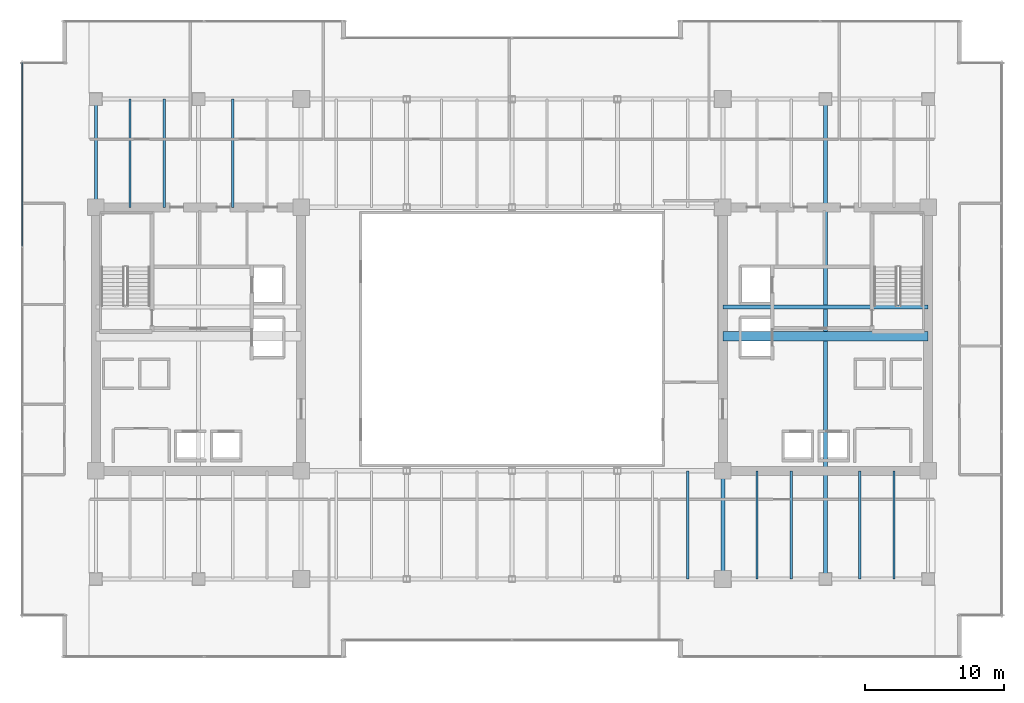
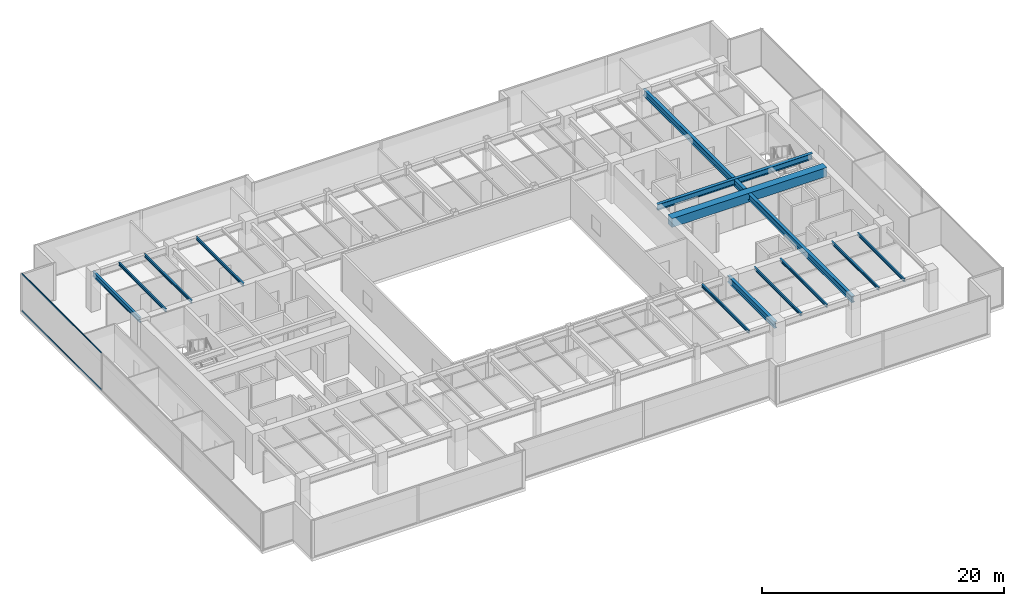
# One storey, part 13 of 33: 13 beams, 2 members, 1 element without a shape of its own.
"""IFC4 building model written with IfcOpenShell, lengths in metres."""

from ifc_helpers import new_model, si_unit, direction, frame, origin, origin_2d, place, context, subcontext, project, spatial, rectangle, hollow_rectangle, i_section, extrude, source, transform, mapped, material, layer, layer_set, material_profile, profile_set, type_object, type_shapes, element, aggregate, save


model = new_model("IFC4")

# Units and contexts
model_context = context("Model", 3, precision=1e-05, world=origin(), true_north=direction((0.0, 1.0)))
body_context = subcontext(model_context, "Body", "Model", "MODEL_VIEW")
ifc_project = project(units=[si_unit("LENGTHUNIT", "METRE"), si_unit("AREAUNIT", "SQUARE_METRE"), si_unit("VOLUMEUNIT", "CUBIC_METRE"), si_unit("PLANEANGLEUNIT", "RADIAN"), si_unit("MASSUNIT", "GRAM", prefix="KILO")], contexts=[model_context])

# Site, building, storey
site_placement = place(None, origin())
site = spatial("IfcSite", under=ifc_project, at=site_placement, CompositionType="ELEMENT")
building_placement = place(site_placement, origin())
building = spatial("IfcBuilding", under=site, at=building_placement, Name="Haelvirn Gate Laboratories", CompositionType="ELEMENT")
storey_placement = place(building_placement, frame((0.0, 0.0, 133.800048828125)))
storey = spatial("IfcBuildingStorey", under=building, at=storey_placement, Name="L32", CompositionType="ELEMENT", Elevation=133.800048828125)

# Beams
ifc_material_1 = material(Name="Concrete C60/75", Category="concrete")
ifc_material_profile_1 = material_profile(ifc_material_1, rectangle(XDim=0.699951171875, YDim=0.89990234375, at=origin_2d()), Name="RCB-700x900")
ifc_profile_set_1 = profile_set([ifc_material_profile_1], Name="Concrete C60/75")
beam_type_1 = type_object("IfcBeamType", Name="BM-RCB-900", PredefinedType="LINTEL", material=ifc_profile_set_1)
shared_shape_1 = source(origin(), body_context, "Body", "SweptSolid", [
    extrude(rectangle(XDim=0.699951171875, YDim=0.89990234375, at=origin_2d()), origin(), (0.0, 0.0, 1.0), 14.7998046875),
])
type_shapes(beam_type_1, [shared_shape_1])
beam_1_placement = place(storey_placement, frame((52.60009765625, 24.5, 3.33984375), z_axis=(1.0, 0.0, 0.0), x_axis=(0.0, 1.0, 0.0)))
element("IfcBeam", 1, at=beam_1_placement, inside=storey, type_object=beam_type_1, Name="L32 East Core Coupling Beam", PredefinedType="LINTEL", context=body_context, shape_type="MappedRepresentation", body=[
    mapped(shared_shape_1, transform((0.0, 0.0, 0.0), scale=1.0)),
])
ifc_material_2 = material(Name="Steel SM355", Category="steel")
ifc_material_profile_2 = material_profile(ifc_material_2, i_section(OverallWidth=0.300048828125, OverallDepth=0.587890625, WebThickness=0.011962890625, FlangeThickness=0.02001953125, at=origin_2d()), Name="H-588x300x12x20")
ifc_profile_set_2 = profile_set([ifc_material_profile_2], Name="Steel SM355")
beam_type_2 = type_object("IfcBeamType", Name="BM-G-588", PredefinedType="BEAM", material=ifc_profile_set_2)
shared_shape_2 = source(origin(), body_context, "Body", "SweptSolid", [
    extrude(i_section(OverallWidth=0.300048828125, OverallDepth=0.587890625, WebThickness=0.011962890625, FlangeThickness=0.02001953125, at=origin_2d()), origin(), (0.0, 0.0, 1.0), 14.7998046875),
])
type_shapes(beam_type_2, [shared_shape_2])
beam_2_placement = place(storey_placement, frame((52.60009765625, 26.6201171875, 3.495849609375), z_axis=(1.0, 0.0, 0.0), x_axis=(0.0, 1.0, 0.0)))
element("IfcBeam", 2, at=beam_2_placement, inside=storey, type_object=beam_type_2, Name="L32 Stair ST2 Landing Header", PredefinedType="BEAM", context=body_context, shape_type="MappedRepresentation", body=[
    mapped(shared_shape_2, transform((0.0, 0.0, 0.0), scale=1.0)),
])
ifc_material_profile_3 = material_profile(ifc_material_2, i_section(OverallWidth=0.199951171875, OverallDepth=0.5, WebThickness=0.010009765625, FlangeThickness=0.01611328125, at=origin_2d()), Name="H-500x200x10x16")
ifc_profile_set_3 = profile_set([ifc_material_profile_3], Name="Steel SM355")
beam_type_3 = type_object("IfcBeamType", Name="BM-SP-500", PredefinedType="SPANDREL", material=ifc_profile_set_3)
shared_shape_3 = source(origin(), body_context, "Body", "SweptSolid", [
    extrude(i_section(OverallWidth=0.199951171875, OverallDepth=0.5, WebThickness=0.010009765625, FlangeThickness=0.01611328125, at=origin_2d()), origin(), (0.0, 0.0, 1.0), 7.800048828125),
])
type_shapes(beam_type_3, [shared_shape_3])
beam_3_placement = place(storey_placement, frame((7.39990234375, 33.800048828125, 3.5400390625), z_axis=(0.0, 1.0, 0.0), x_axis=(-1.0, 0.0, 0.0)))
element("IfcBeam", 3, at=beam_3_placement, inside=storey, type_object=beam_type_3, Name="L32 Perimeter Spandrel X7.4 (33.8-41.6)", PredefinedType="SPANDREL", context=body_context, shape_type="MappedRepresentation", body=[
    mapped(shared_shape_3, transform((0.0, 0.0, 0.0), scale=1.0)),
])
ifc_material_profile_4 = material_profile(ifc_material_2, i_section(OverallWidth=0.300048828125, OverallDepth=0.64990234375, WebThickness=0.012939453125, FlangeThickness=0.02197265625, at=origin_2d()), Name="H-650x300x13x22")
ifc_profile_set_4 = profile_set([ifc_material_profile_4], Name="Steel SM355")
beam_type_4 = type_object("IfcBeamType", Name="BM-G-650", PredefinedType="BEAM", material=ifc_profile_set_4)
shared_shape_4 = source(origin(), body_context, "Body", "SweptSolid", [
    extrude(i_section(OverallWidth=0.300048828125, OverallDepth=0.64990234375, WebThickness=0.012939453125, FlangeThickness=0.02197265625, at=origin_2d()), origin(), (0.0, 0.0, 1.0), 34.60009765625),
])
beam_4_placement = place(storey_placement, frame((60.0, 7.0, 3.46484375), z_axis=(0.0, 1.0, 0.0), x_axis=(-1.0, 0.0, 0.0)))
element("IfcBeam", 4, at=beam_4_placement, inside=storey, type_object=beam_type_4, Name="L32 Frame Girder X60.0 (7.0-41.6)", PredefinedType="BEAM", context=body_context, shape_type="MappedRepresentation", body=[
    mapped(shared_shape_4, transform((0.0, 0.0, 0.0), scale=1.0)),
])
shared_shape_5 = source(origin(), body_context, "Body", "SweptSolid", [
    extrude(i_section(OverallWidth=0.300048828125, OverallDepth=0.64990234375, WebThickness=0.012939453125, FlangeThickness=0.02197265625, at=origin_2d()), origin(), (0.0, 0.0, 1.0), 7.800048828125),
])
type_shapes(beam_type_4, [shared_shape_4, shared_shape_5])
beam_5_placement = place(storey_placement, frame((52.60009765625, 7.0, 3.46484375), z_axis=(0.0, 1.0, 0.0), x_axis=(-1.0, 0.0, 0.0)))
element("IfcBeam", 5, at=beam_5_placement, inside=storey, type_object=beam_type_4, Name="L32 Frame Girder X52.6 (7.0-14.8)", PredefinedType="BEAM", context=body_context, shape_type="MappedRepresentation", body=[
    mapped(shared_shape_5, transform((0.0, 0.0, 0.0), scale=1.0)),
])
ifc_material_profile_5 = material_profile(ifc_material_2, i_section(OverallWidth=0.14990234375, OverallDepth=0.300048828125, WebThickness=0.006591796875, FlangeThickness=0.009033203125, at=origin_2d()), Name="H-300x150x6.5x9")
ifc_profile_set_5 = profile_set([ifc_material_profile_5], Name="Steel SM355")
beam_type_5 = type_object("IfcBeamType", Name="BM-J-300", PredefinedType="JOIST", material=ifc_profile_set_5)
shared_shape_6 = source(origin(), body_context, "Body", "SweptSolid", [
    extrude(i_section(OverallWidth=0.14990234375, OverallDepth=0.300048828125, WebThickness=0.006591796875, FlangeThickness=0.009033203125, at=origin_2d()), origin(), (0.0, 0.0, 1.0), 7.800048828125),
])
type_shapes(beam_type_5, [shared_shape_6])
for number, where, z_axis, x_axis, name in (
    (6, (9.8701171875, 33.800048828125, 3.639892578125), (0.0, 1.0, 0.0), (-1.0, 0.0, 0.0), "L32 Composite Lab Joist North X9.87"),
    (7, (12.330078125, 33.800048828125, 3.639892578125), (0.0, 1.0, 0.0), (-1.0, 0.0, 0.0), "L32 Composite Lab Joist North X12.33"),
    (8, (17.27001953125, 33.800048828125, 3.639892578125), (0.0, 1.0, 0.0), (-1.0, 0.0, 0.0), "L32 Composite Lab Joist North X17.27"),
    (9, (50.070068359375, 7.0, 3.639892578125), (0.0, 1.0, 0.0), (-1.0, 0.0, 0.0), "L32 Composite Lab Joist South X50.07"),
    (10, (55.070068359375, 7.0, 3.639892578125), (0.0, 1.0, 0.0), (-1.0, 0.0, 0.0), "L32 Composite Lab Joist South X55.07"),
    (11, (57.530029296875, 7.0, 3.639892578125), (0.0, 1.0, 0.0), (-1.0, 0.0, 0.0), "L32 Composite Lab Joist South X57.53"),
    (12, (62.469970703125, 7.0, 3.639892578125), (0.0, 1.0, 0.0), (-1.0, 0.0, 0.0), "L32 Composite Lab Joist South X62.47"),
    (13, (64.929931640625, 7.0, 3.639892578125), (0.0, 1.0, 0.0), (-1.0, 0.0, 0.0), "L32 Composite Lab Joist South X64.93"),
):
    element("IfcBeam", number, at=place(storey_placement, frame(where, z_axis=z_axis, x_axis=x_axis)), inside=storey, type_object=beam_type_5, Name=name, PredefinedType="JOIST", context=body_context, shape_type="MappedRepresentation", body=[
        mapped(shared_shape_6, transform((0.0, 0.0, 0.0), scale=1.0)),
    ])

# Curtain wall, members
ifc_material_3 = material(Name="Anodised bronze unitised aluminium & triple low-E glass", Category="aluminium")
ifc_layer = layer(ifc_material_3, 0.179931640625, Name="CW-SYS-3")
ifc_layer_set = layer_set([ifc_layer], Name="Anodised bronze unitised aluminium & triple low-E glass")
curtain_wall_type = type_object("IfcCurtainWallType", Name="CW-SYS-3", PredefinedType="NOTDEFINED", material=ifc_layer_set)
curtain_wall_placement = place(storey_placement, origin())
curtain_wall = element("IfcCurtainWall", 14, at=curtain_wall_placement, inside=storey, type_object=curtain_wall_type, Name="L32 Unitised Curtain Wall CW-L32-P0-E17", PredefinedType="NOTDEFINED")
ifc_material_4 = material(Name="Extruded aluminium 6063-T6 (anodised bronze)", Category="aluminium")
ifc_material_profile_6 = material_profile(ifc_material_4, hollow_rectangle(XDim=0.06494140625, YDim=0.139892578125, WallThickness=0.00390625, at=origin_2d()), Name="CWT-140x65x4")
ifc_profile_set_6 = profile_set([ifc_material_profile_6], Name="Extruded aluminium 6063-T6 (anodised bronze)")
member_type = type_object("IfcMemberType", Name="CWT-T140", PredefinedType="USERDEFINED", material=ifc_profile_set_6)
shared_shape_7 = source(origin(), body_context, "Body", "SweptSolid", [
    extrude(hollow_rectangle(XDim=0.06494140625, YDim=0.139892578125, WallThickness=0.00390625, at=origin_2d()), origin(), (0.0, 0.0, 1.0), 13.220947265625),
])
type_shapes(member_type, [shared_shape_7])
member_1_placement = place(storey_placement, frame((2.10009765625, 44.22509765625, 0.032470703125), z_axis=(0.0, -1.0, 0.0), x_axis=(1.0, 0.0, 0.0)))
member_1 = element("IfcMember", 15, at=member_1_placement, type_object=member_type, Name="CW3 transom 1.1", ObjectType="TRANSOM", PredefinedType="USERDEFINED", context=body_context, shape_type="MappedRepresentation", body=[
    mapped(shared_shape_7, transform((0.0, 0.0, 0.0), scale=1.0)),
])
member_2_placement = place(storey_placement, frame((2.10009765625, 44.22509765625, 3.757568359375), z_axis=(0.0, -1.0, 0.0), x_axis=(1.0, 0.0, 0.0)))
member_2 = element("IfcMember", 16, at=member_2_placement, type_object=member_type, Name="CW3 transom 1.2", ObjectType="TRANSOM", PredefinedType="USERDEFINED", context=body_context, shape_type="MappedRepresentation", body=[
    mapped(shared_shape_7, transform((0.0, 0.0, 0.0), scale=1.0)),
])
aggregate(curtain_wall, [member_1, member_2])

save(model, "model.ifc")
